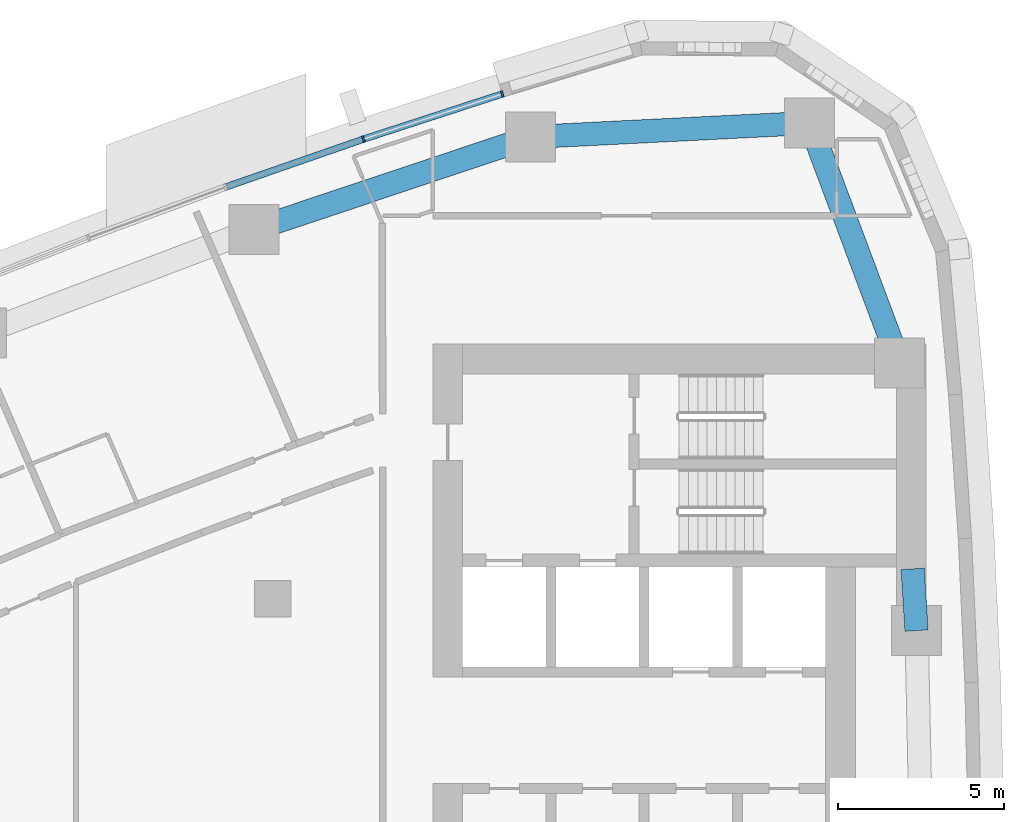
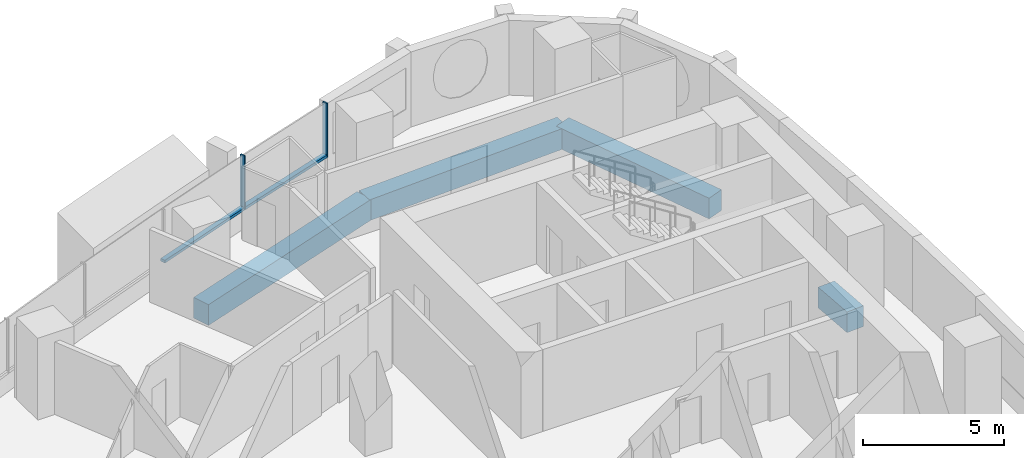
# One storey, part 6 of 17: 4 beams, 4 members, 1 element without a shape of its own.
"""IFC4 building model written with IfcOpenShell, lengths in metres."""

from ifc_helpers import new_model, si_unit, direction, frame, origin, origin_2d, place, context, subcontext, project, spatial, rectangle, extrude, material, layer, layer_set, material_profile, profile_set, type_object, element, aggregate, save


model = new_model("IFC4")

# Units and contexts
model_context = context("Model", 3, precision=1e-05, world=origin(), true_north=direction((0.0, 1.0)))
body_context = subcontext(model_context, "Body", "Model", "MODEL_VIEW")
ifc_project = project(units=[si_unit("LENGTHUNIT", "METRE"), si_unit("AREAUNIT", "SQUARE_METRE"), si_unit("VOLUMEUNIT", "CUBIC_METRE"), si_unit("PLANEANGLEUNIT", "RADIAN"), si_unit("MASSUNIT", "GRAM", prefix="KILO")], contexts=[model_context])

# Site, building, storey
site_placement = place(None, origin())
site = spatial("IfcSite", under=ifc_project, at=site_placement, CompositionType="ELEMENT")
building_placement = place(site_placement, origin())
building = spatial("IfcBuilding", under=site, at=building_placement, Name="Ostrand Prow Hotel Tower", CompositionType="ELEMENT")
storey_placement = place(building_placement, frame((0.0, 0.0, 162.14990234375)))
storey = spatial("IfcBuildingStorey", under=building, at=storey_placement, Name="L40", CompositionType="ELEMENT", Elevation=162.14990234375)

# Beams
ifc_material_1 = material(Name="Concrete C70/85", Category="concrete")
ifc_material_profile_1 = material_profile(ifc_material_1, rectangle(XDim=0.699951171875, YDim=0.89990234375, at=origin_2d()), Name="RC 700x900")
ifc_profile_set_1 = profile_set([ifc_material_profile_1], Name="Concrete C70/85")
beam_type = type_object("IfcBeamType", Name="Edge beam 700x900 C70/85", PredefinedType="SPANDREL", material=ifc_profile_set_1)
beam_1_placement = place(storey_placement, frame((64.32958984375, 8.044677734375, -0.75), z_axis=(-0.063563790544, 0.997977777574, 0.0), x_axis=(-0.997977777574, -0.063563790544, 0.0)))
element("IfcBeam", 1, at=beam_1_placement, inside=storey, type_object=beam_type, Name="Edge beam B4-B5", PredefinedType="SPANDREL", context=body_context, shape_type="SweptSolid", body=[
    extrude(rectangle(XDim=0.699951171875, YDim=0.89990234375, at=origin_2d()), origin(), (0.0, 0.0, 1.0), 1.85888671875),
])
beam_2_placement = place(storey_placement, frame((63.584716796875, 16.699951171875, -0.75), z_axis=(-0.350602524344, 0.93652435629, 0.0), x_axis=(-0.93652435629, -0.350602524344, 0.0)))
element("IfcBeam", 2, at=beam_2_placement, inside=storey, type_object=beam_type, Name="Edge beam B5-NE", PredefinedType="SPANDREL", context=body_context, shape_type="SweptSolid", body=[
    extrude(rectangle(XDim=0.699951171875, YDim=0.89990234375, at=origin_2d()), origin(), (0.0, 0.0, 1.0), 7.037353515625),
])
beam_3_placement = place(storey_placement, frame((61.117431640625, 23.29052734375, -0.75), z_axis=(-0.99873741544, -0.050235196825, 0.0), x_axis=(0.050235196825, -0.99873741544, 0.0)))
element("IfcBeam", 3, at=beam_3_placement, inside=storey, type_object=beam_type, Name="Edge beam NE-N1", PredefinedType="SPANDREL", context=body_context, shape_type="SweptSolid", body=[
    extrude(rectangle(XDim=0.699951171875, YDim=0.89990234375, at=origin_2d()), origin(), (0.0, 0.0, 1.0), 8.38818359375),
])
beam_4_placement = place(storey_placement, frame((52.73974609375, 22.869140625, -0.75), z_axis=(-0.948376051094, -0.317148018616, 0.0), x_axis=(0.317148018616, -0.948376051094, 0.0)))
element("IfcBeam", 4, at=beam_4_placement, inside=storey, type_object=beam_type, Name="Edge beam N1-N2", PredefinedType="SPANDREL", context=body_context, shape_type="SweptSolid", body=[
    extrude(rectangle(XDim=0.699951171875, YDim=0.89990234375, at=origin_2d()), origin(), (0.0, 0.0, 1.0), 8.75341796875),
])

# Curtain wall, members
ifc_material_2 = material(Name="Insulated glass in bronze anodised frame", Category="glass")
ifc_layer = layer(ifc_material_2, 0.199951171875)
ifc_layer_set = layer_set([ifc_layer], Name="Insulated glass in bronze anodised frame")
curtain_wall_type = type_object("IfcCurtainWallType", Name="Strip curtain wall, fritted glass over bronze spandrel", PredefinedType="NOTDEFINED", material=ifc_layer_set)
curtain_wall_placement = place(storey_placement, origin())
curtain_wall = element("IfcCurtainWall", 5, at=curtain_wall_placement, inside=storey, type_object=curtain_wall_type, Name="CW1 run CWN1", PredefinedType="NOTDEFINED")
ifc_material_3 = material(Name="Bronze anodised aluminium", Category="aluminium")
ifc_material_profile_2 = material_profile(ifc_material_3, rectangle(XDim=0.199951171875, YDim=0.06005859375, at=origin_2d()), Name="Mullion 60x200 bronze anodised aluminium")
ifc_profile_set_2 = profile_set([ifc_material_profile_2], Name="Bronze anodised aluminium")
member_type_1 = type_object("IfcMemberType", Name="Mullion 60x200 bronze anodised aluminium", PredefinedType="MULLION", material=ifc_profile_set_2)
member_1_placement = place(storey_placement, frame((51.888916015625, 24.16162109375, 0.900146484375), z_axis=(0.0, 0.0, 1.0), x_axis=(0.309380491373, -0.950938332153, 0.0)))
member_1 = element("IfcMember", 6, at=member_1_placement, type_object=member_type_1, Name="CW1 mullion 1", PredefinedType="MULLION", context=body_context, shape_type="SweptSolid", body=[
    extrude(rectangle(XDim=0.199951171875, YDim=0.06005859375, at=origin_2d()), origin(), (0.0, 0.0, 1.0), 2.349853515625),
])
member_2_placement = place(storey_placement, frame((47.718017578125, 22.8046875, 0.900146484375), z_axis=(0.0, 0.0, 1.0), x_axis=(0.328428177424, -0.944528947293, 0.0)))
member_2 = element("IfcMember", 7, at=member_2_placement, type_object=member_type_1, Name="CW1 mullion 2", PredefinedType="MULLION", context=body_context, shape_type="SweptSolid", body=[
    extrude(rectangle(XDim=0.199951171875, YDim=0.06005859375, at=origin_2d()), origin(), (0.0, 0.0, 1.0), 2.349853515625),
])
ifc_material_4 = material(Name="Bronze anodised aluminium", Category="aluminium")
ifc_material_profile_3 = material_profile(ifc_material_4, rectangle(XDim=0.199951171875, YDim=0.1201171875, at=origin_2d()), Name="Transom 120x200 bronze anodised aluminium")
ifc_profile_set_3 = profile_set([ifc_material_profile_3], Name="Bronze anodised aluminium")
member_type_2 = type_object("IfcMemberType", Name="Transom 120x200 bronze anodised aluminium", PredefinedType="USERDEFINED", material=ifc_profile_set_3)
member_3_placement = place(storey_placement, frame((51.8603515625, 24.15234375, 0.960205078125), z_axis=(-0.950938634958, -0.309379560643, 0.0), x_axis=(0.309379560643, -0.950938634958, 0.0)))
member_3 = element("IfcMember", 8, at=member_3_placement, type_object=member_type_2, Name="CW1 transom 1.1", ObjectType="TRANSOM", PredefinedType="USERDEFINED", context=body_context, shape_type="SweptSolid", body=[
    extrude(rectangle(XDim=0.199951171875, YDim=0.1201171875, at=origin_2d()), origin(), (0.0, 0.0, 1.0), 4.325927734375),
])
member_4_placement = place(storey_placement, frame((47.689697265625, 22.794921875, 0.960205078125), z_axis=(-0.944524201162, -0.328441826538, 0.0), x_axis=(0.328441826538, -0.944524201162, 0.0)))
member_4 = element("IfcMember", 9, at=member_4_placement, type_object=member_type_2, Name="CW1 transom 2.1", ObjectType="TRANSOM", PredefinedType="USERDEFINED", context=body_context, shape_type="SweptSolid", body=[
    extrude(rectangle(XDim=0.199951171875, YDim=0.1201171875, at=origin_2d()), origin(), (0.0, 0.0, 1.0), 4.326171875),
])
aggregate(curtain_wall, [member_1, member_2, member_3, member_4])

save(model, "model.ifc")
